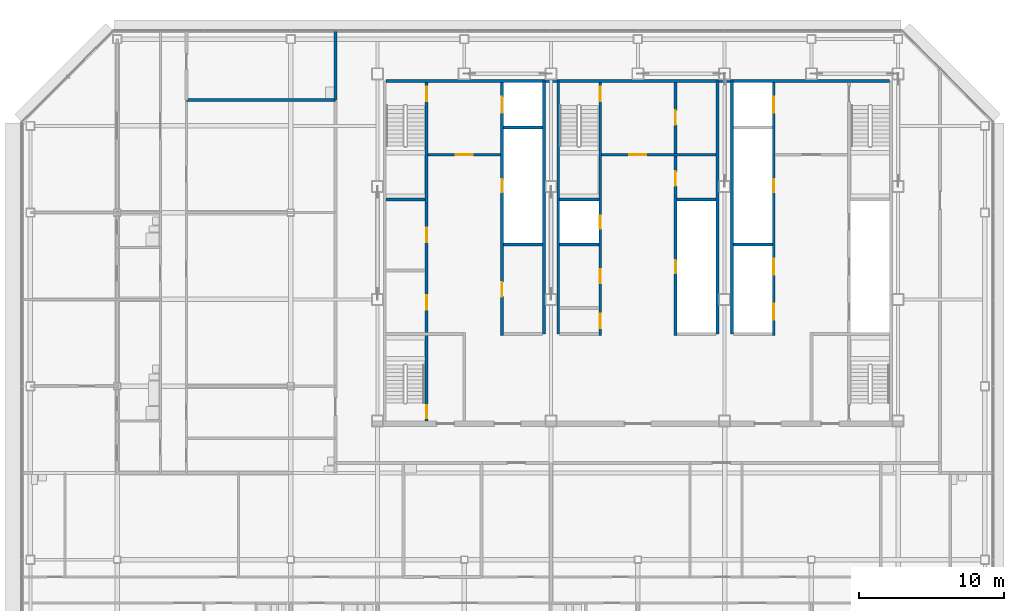
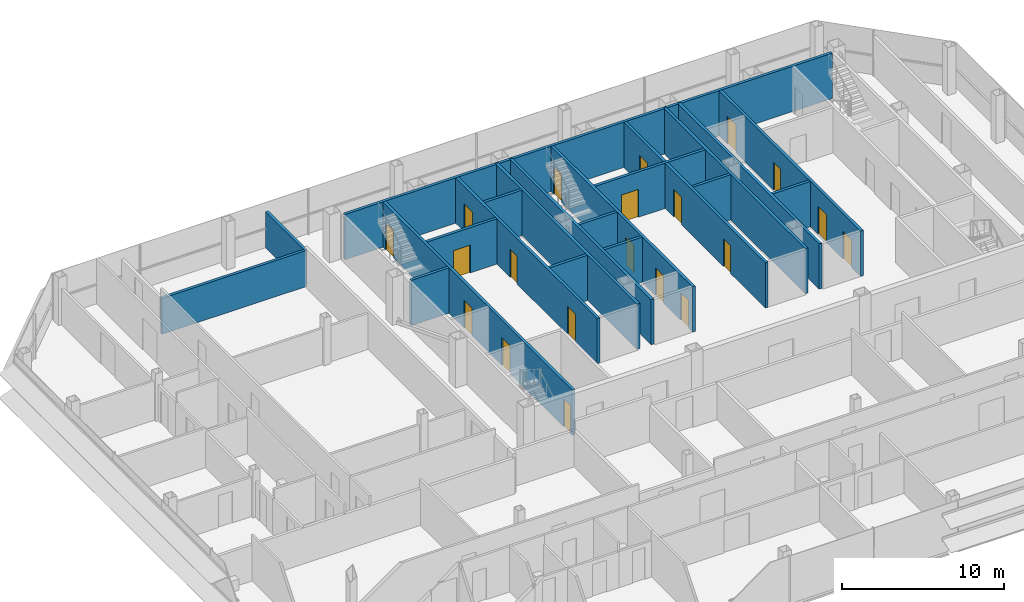
# One storey, part 23 of 27: 21 walls, 20 doors, 20 openings.
"""IFC4 building model written with IfcOpenShell, lengths in metres."""

from ifc_helpers import new_model, si_unit, direction, frame, frame_2d, origin, place, context, subcontext, project, spatial, rectangle, extrude, material, layer, layer_set, type_object, element, fill, save


model = new_model("IFC4")

# Units and contexts
model_context = context("Model", 3, precision=1e-05, world=origin(), true_north=direction((0.0, 1.0)))
body_context = subcontext(model_context, "Body", "Model", "MODEL_VIEW")
ifc_project = project(units=[si_unit("LENGTHUNIT", "METRE"), si_unit("AREAUNIT", "SQUARE_METRE"), si_unit("VOLUMEUNIT", "CUBIC_METRE"), si_unit("PLANEANGLEUNIT", "RADIAN"), si_unit("MASSUNIT", "GRAM", prefix="KILO")], contexts=[model_context])

# Site, building, storey
site_placement = place(None, origin())
site = spatial("IfcSite", under=ifc_project, at=site_placement, CompositionType="ELEMENT")
building_placement = place(site_placement, origin())
building = spatial("IfcBuilding", under=site, at=building_placement, Name="Sorahane Residences", CompositionType="ELEMENT")
storey_placement = place(building_placement, frame((0.0, 0.0, 294.39990234375)))
storey = spatial("IfcBuildingStorey", under=building, at=storey_placement, Name="L69", CompositionType="ELEMENT", Elevation=294.39990234375)

# Walls
ifc_material_1 = material(Name="Concrete C30", Category="concrete")
ifc_layer_1 = layer(ifc_material_1, 0.199951171875)
ifc_layer_set_1 = layer_set([ifc_layer_1], Name="Core face wall 200 EI 180")
wall_type_1 = type_object("IfcWallType", Name="Core face wall 200 EI 180", PredefinedType="SOLIDWALL", material=ifc_layer_set_1)
wall_1_placement = place(storey_placement, frame((6.60009765625, 45.10009765625, 0.0), z_axis=(0.0, 0.0, 1.0), x_axis=(1.0, 0.0, 0.0)))
element("IfcWall", 1, at=wall_1_placement, inside=storey, type_object=wall_type_1, Name="L69 core face wall", PredefinedType="SOLIDWALL", context=body_context, shape_type="SweptSolid", body=[
    extrude(rectangle(XDim=34.7998046875, YDim=0.199951171875, at=frame_2d((17.39990234375, 0.0))), origin(), (0.0, 0.0, 1.0), 3.420166015625),
])
for number, where, z_axis, x_axis, name in (
    (2, (17.5, 27.60009765625, 0.0), (0.0, 0.0, 1.0), (0.0, 1.0, 0.0), "L69 core face wall"),
    (3, (18.5, 27.60009765625, 0.0), (0.0, 0.0, 1.0), (0.0, 1.0, 0.0), "L69 core face wall"),
    (4, (29.5, 27.60009765625, 0.0), (0.0, 0.0, 1.0), (0.0, 1.0, 0.0), "L69 core face wall"),
    (5, (30.5, 27.60009765625, 0.0), (0.0, 0.0, 1.0), (0.0, 1.0, 0.0), "L69 core face wall"),
):
    element("IfcWall", number, at=place(storey_placement, frame(where, z_axis=z_axis, x_axis=x_axis)), inside=storey, type_object=wall_type_1, Name=name, PredefinedType="SOLIDWALL", context=body_context, shape_type="SweptSolid", body=[
        extrude(rectangle(XDim=17.5, YDim=0.199951171875, at=frame_2d((8.75, 0.0))), origin(), (0.0, 0.0, 1.0), 3.420166015625),
    ])

# Wall, opening, door
ifc_material_2 = material(Name="Concrete C30", Category="concrete")
ifc_layer_2 = layer(ifc_material_2, 0.199951171875)
ifc_layer_set_2 = layer_set([ifc_layer_2], Name="Front room wall 200 EI 120")
wall_type_2 = type_object("IfcWallType", Name="Front room wall 200 EI 120", PredefinedType="PARTITIONING", material=ifc_layer_set_2)
wall_2_placement = place(storey_placement, frame((21.5, 40.0, 0.0), z_axis=(0.0, 0.0, 1.0), x_axis=(1.0, 0.0, 0.0)))
wall_2 = element("IfcWall", 6, at=wall_2_placement, inside=storey, type_object=wall_type_2, Name="L69 front room wall", PredefinedType="PARTITIONING", context=body_context, shape_type="SweptSolid", body=[
    extrude(rectangle(XDim=7.89990234375, YDim=0.199951171875, at=frame_2d((3.949951171875, 0.0))), origin(), (0.0, 0.0, 1.0), 3.420166015625),
])
opening_1_placement = place(wall_2_placement, frame((1.89990234375, 0.0, 0.0)))
opening_1 = element("IfcOpeningElement", 7, at=opening_1_placement, cuts=wall_2, Name="Opening L69-C07", PredefinedType="OPENING", context=body_context, shape_type="SweptSolid", body=[
    extrude(rectangle(XDim=1.199951171875, YDim=2.10009765625, at=frame_2d((0.60009765625, 1.050048828125))), frame((0.0, 0.10986328125, 0.0), z_axis=(0.0, -1.0, 0.0), x_axis=(1.0, 0.0, 0.0)), (0.0, 0.0, 1.0), 0.219970703125),
])
ifc_material_3 = material(Name="Steel", Category="steel")
door_type_1 = type_object("IfcDoorType", Name="Front room door 1200x2100 FD120", OperationType="NOTDEFINED", PredefinedType="DOOR", material=ifc_material_3)
door_1_placement = place(opening_1_placement, frame((1.199951171875, 0.0, 0.0), z_axis=(0.0, 0.0, 1.0), x_axis=(-1.0, 0.0, 0.0)))
door_1 = element("IfcDoor", 8, at=door_1_placement, inside=storey, type_object=door_type_1, Name="Front room door Stair S3 vestibule L69", OperationType="DOUBLE_DOOR_SINGLE_SWING", OverallHeight=2.10009765625, OverallWidth=1.199951171875, PredefinedType="DOOR", context=body_context, shape_type="SweptSolid", body=[
    extrude(rectangle(XDim=1.199951171875, YDim=2.10009765625, at=frame_2d((0.60009765625, 1.050048828125))), frame((0.0, 0.02490234375, 0.0), z_axis=(0.0, -1.0, 0.0), x_axis=(1.0, 0.0, 0.0)), (0.0, 0.0, 1.0), 0.050048828125),
])
fill(opening_1, door_1)

wall_3_placement = place(storey_placement, frame((9.5, 40.0, 0.0), z_axis=(0.0, 0.0, 1.0), x_axis=(1.0, 0.0, 0.0)))
wall_3 = element("IfcWall", 9, at=wall_3_placement, inside=storey, type_object=wall_type_2, Name="L69 front room wall", PredefinedType="PARTITIONING", context=body_context, shape_type="SweptSolid", body=[
    extrude(rectangle(XDim=5.0, YDim=0.199951171875, at=frame_2d((2.5, 0.0))), origin(), (0.0, 0.0, 1.0), 3.420166015625),
])
opening_2_placement = place(wall_3_placement, frame((1.89990234375, 0.0, 0.0)))
opening_2 = element("IfcOpeningElement", 10, at=opening_2_placement, cuts=wall_3, Name="Opening L69-C06", PredefinedType="OPENING", context=body_context, shape_type="SweptSolid", body=[
    extrude(rectangle(XDim=1.199951171875, YDim=2.10009765625, at=frame_2d((0.60009765625, 1.050048828125))), frame((0.0, 0.10986328125, 0.0), z_axis=(0.0, -1.0, 0.0), x_axis=(1.0, 0.0, 0.0)), (0.0, 0.0, 1.0), 0.219970703125),
])
door_2_placement = place(opening_2_placement, frame((1.199951171875, 0.0, 0.0), z_axis=(0.0, 0.0, 1.0), x_axis=(-1.0, 0.0, 0.0)))
door_2 = element("IfcDoor", 11, at=door_2_placement, inside=storey, type_object=door_type_1, Name="Front room door Firefighting lobby FF1 front room L69", OperationType="DOUBLE_DOOR_SINGLE_SWING", OverallHeight=2.10009765625, OverallWidth=1.199951171875, PredefinedType="DOOR", context=body_context, shape_type="SweptSolid", body=[
    extrude(rectangle(XDim=1.199951171875, YDim=2.10009765625, at=frame_2d((0.60009765625, 1.050048828125))), frame((0.0, 0.02490234375, 0.0), z_axis=(0.0, -1.0, 0.0), x_axis=(1.0, 0.0, 0.0)), (0.0, 0.0, 1.0), 0.050048828125),
])
fill(opening_2, door_2)

# Walls
ifc_material_4 = material(Name="Concrete blockwork C20 wall", Category="masonry")
ifc_layer_3 = layer(ifc_material_4, 0.199951171875)
ifc_layer_set_3 = layer_set([ifc_layer_3], Name="Kitchen wall 200 EI 180")
wall_type_3 = type_object("IfcWallType", Name="Kitchen wall 200 EI 180", PredefinedType="SOLIDWALL", material=ifc_layer_set_3)
wall_4_placement = place(storey_placement, frame((3.10009765625, 43.800048828125, 0.0), z_axis=(0.0, 0.0, 1.0), x_axis=(0.0, 1.0, 0.0)))
element("IfcWall", 12, at=wall_4_placement, inside=storey, type_object=wall_type_3, Name="L69 kitchen wall", PredefinedType="SOLIDWALL", context=body_context, shape_type="SweptSolid", body=[
    extrude(rectangle(XDim=4.800048828125, YDim=0.199951171875, at=frame_2d((2.39990234375, 0.0))), origin(), (0.0, 0.0, 1.0), 2.72021484375),
])
wall_5_placement = place(storey_placement, frame((-7.199951171875, 43.800048828125, 0.0), z_axis=(0.0, 0.0, 1.0), x_axis=(1.0, 0.0, 0.0)))
element("IfcWall", 13, at=wall_5_placement, inside=storey, type_object=wall_type_3, Name="L69 kitchen wall", PredefinedType="SOLIDWALL", context=body_context, shape_type="SweptSolid", body=[
    extrude(rectangle(XDim=10.300048828125, YDim=0.199951171875, at=frame_2d((5.14990234375, 0.0))), origin(), (0.0, 0.0, 1.0), 2.72021484375),
])

# Wall, openings, doors
ifc_material_5 = material(Name="Concrete C30", Category="concrete")
ifc_layer_4 = layer(ifc_material_5, 0.199951171875)
ifc_layer_set_4 = layer_set([ifc_layer_4], Name="Lift shaft wall 200 EI 120")
wall_type_4 = type_object("IfcWallType", Name="Lift shaft wall 200 EI 120", PredefinedType="SOLIDWALL", material=ifc_layer_set_4)
wall_6_placement = place(storey_placement, frame((14.60009765625, 27.5, 0.0), z_axis=(0.0, 0.0, 1.0), x_axis=(0.0, 1.0, 0.0)))
wall_6 = element("IfcWall", 14, at=wall_6_placement, inside=storey, type_object=wall_type_4, Name="L69 lift shaft wall", PredefinedType="SOLIDWALL", context=body_context, shape_type="SweptSolid", body=[
    extrude(rectangle(XDim=17.5, YDim=0.199951171875, at=frame_2d((8.75, 0.0))), origin(), (0.0, 0.0, 1.0), 3.420166015625),
])
opening_3_placement = place(wall_6_placement, frame((15.39990234375, 0.0, 0.0)))
opening_3 = element("IfcOpeningElement", 15, at=opening_3_placement, cuts=wall_6, Name="Opening L69-C15", PredefinedType="OPENING", context=body_context, shape_type="SweptSolid", body=[
    extrude(rectangle(XDim=1.10009765625, YDim=2.10009765625, at=frame_2d((0.550048828125, 1.050048828125))), frame((0.0, 0.10986328125, 0.0), z_axis=(0.0, -1.0, 0.0), x_axis=(1.0, 0.0, 0.0)), (0.0, 0.0, 1.0), 0.219970703125),
])
opening_4_placement = place(wall_6_placement, frame((2.699951171875, 0.0, 0.0)))
opening_4 = element("IfcOpeningElement", 16, at=opening_4_placement, cuts=wall_6, Name="Opening L69-C18", PredefinedType="OPENING", context=body_context, shape_type="SweptSolid", body=[
    extrude(rectangle(XDim=1.0, YDim=2.10009765625, at=frame_2d((0.5, 1.050048828125))), frame((0.0, 0.10986328125, 0.0), z_axis=(0.0, -1.0, 0.0), x_axis=(1.0, 0.0, 0.0)), (0.0, 0.0, 1.0), 0.219970703125),
])
opening_5_placement = place(wall_6_placement, frame((9.89990234375, 0.0, 0.0)))
opening_5 = element("IfcOpeningElement", 17, at=opening_5_placement, cuts=wall_6, Name="Opening L69-C26", PredefinedType="OPENING", context=body_context, shape_type="SweptSolid", body=[
    extrude(rectangle(XDim=0.89990234375, YDim=2.10009765625, at=frame_2d((0.449951171875, 1.050048828125))), frame((0.0, 0.10986328125, 0.0), z_axis=(0.0, -1.0, 0.0), x_axis=(1.0, 0.0, 0.0)), (0.0, 0.0, 1.0), 0.219970703125),
])
ifc_material_6 = material(Name="Aluminium and stainless steel", Category="steel")
door_type_2 = type_object("IfcDoorType", Name="Lift landing door 1100x2100 E 60", OperationType="NOTDEFINED", PredefinedType="DOOR", material=ifc_material_6)
door_3_placement = place(opening_3_placement, origin())
door_3 = element("IfcDoor", 18, at=door_3_placement, inside=storey, type_object=door_type_2, Name="Lift landing door FF1 L69", OperationType="DOUBLE_DOOR_SLIDING", OverallHeight=2.10009765625, OverallWidth=1.10009765625, PredefinedType="DOOR", context=body_context, shape_type="SweptSolid", body=[
    extrude(rectangle(XDim=1.10009765625, YDim=2.10009765625, at=frame_2d((0.550048828125, 1.050048828125))), frame((0.0, 0.02490234375, 0.0), z_axis=(0.0, -1.0, 0.0), x_axis=(1.0, 0.0, 0.0)), (0.0, 0.0, 1.0), 0.050048828125),
])
fill(opening_3, door_3)
ifc_material_7 = material(Name="Steel", Category="steel")
door_type_3 = type_object("IfcDoorType", Name="Riser door 900x2100 FD120", OperationType="NOTDEFINED", PredefinedType="DOOR", material=ifc_material_7)
door_4_placement = place(opening_5_placement, origin())
door_4 = element("IfcDoor", 19, at=door_4_placement, inside=storey, type_object=door_type_3, Name="Riser door R1 L69", OperationType="SINGLE_SWING_LEFT", OverallHeight=2.10009765625, OverallWidth=0.89990234375, PredefinedType="DOOR", context=body_context, shape_type="SweptSolid", body=[
    extrude(rectangle(XDim=0.89990234375, YDim=2.10009765625, at=frame_2d((0.449951171875, 1.050048828125))), frame((0.0, 0.02490234375, 0.0), z_axis=(0.0, -1.0, 0.0), x_axis=(1.0, 0.0, 0.0)), (0.0, 0.0, 1.0), 0.050048828125),
])
fill(opening_5, door_4)
ifc_material_8 = material(Name="Steel", Category="steel")
door_type_4 = type_object("IfcDoorType", Name="Service room door 1000x2100 FD60", OperationType="NOTDEFINED", PredefinedType="DOOR", material=ifc_material_8)
door_5_placement = place(opening_4_placement, frame((1.0, 0.0, 0.0), z_axis=(0.0, 0.0, 1.0), x_axis=(-1.0, 0.0, 0.0)))
door_5 = element("IfcDoor", 20, at=door_5_placement, inside=storey, type_object=door_type_4, Name="Service room door Reading room L69", OperationType="SINGLE_SWING_RIGHT", OverallHeight=2.10009765625, OverallWidth=1.0, PredefinedType="DOOR", context=body_context, shape_type="SweptSolid", body=[
    extrude(rectangle(XDim=1.0, YDim=2.10009765625, at=frame_2d((0.5, 1.050048828125))), frame((0.0, 0.02490234375, 0.0), z_axis=(0.0, -1.0, 0.0), x_axis=(1.0, 0.0, 0.0)), (0.0, 0.0, 1.0), 0.050048828125),
])
fill(opening_4, door_5)

wall_7_placement = place(storey_placement, frame((33.39990234375, 27.5, 0.0), z_axis=(0.0, 0.0, 1.0), x_axis=(0.0, 1.0, 0.0)))
wall_7 = element("IfcWall", 21, at=wall_7_placement, inside=storey, type_object=wall_type_4, Name="L69 lift shaft wall", PredefinedType="SOLIDWALL", context=body_context, shape_type="SweptSolid", body=[
    extrude(rectangle(XDim=17.5, YDim=0.199951171875, at=frame_2d((8.75, 0.0))), origin(), (0.0, 0.0, 1.0), 3.420166015625),
])
opening_6_placement = place(wall_7_placement, frame((1.10009765625, 0.0, 0.0)))
opening_6 = element("IfcOpeningElement", 22, at=opening_6_placement, cuts=wall_7, Name="Opening L69-C12", PredefinedType="OPENING", context=body_context, shape_type="SweptSolid", body=[
    extrude(rectangle(XDim=1.10009765625, YDim=2.10009765625, at=frame_2d((0.550048828125, 1.050048828125))), frame((0.0, 0.10986328125, 0.0), z_axis=(0.0, -1.0, 0.0), x_axis=(1.0, 0.0, 0.0)), (0.0, 0.0, 1.0), 0.219970703125),
])
opening_7_placement = place(wall_7_placement, frame((4.199951171875, 0.0, 0.0)))
opening_7 = element("IfcOpeningElement", 23, at=opening_7_placement, cuts=wall_7, Name="Opening L69-C13", PredefinedType="OPENING", context=body_context, shape_type="SweptSolid", body=[
    extrude(rectangle(XDim=1.10009765625, YDim=2.10009765625, at=frame_2d((0.550048828125, 1.050048828125))), frame((0.0, 0.10986328125, 0.0), z_axis=(0.0, -1.0, 0.0), x_axis=(1.0, 0.0, 0.0)), (0.0, 0.0, 1.0), 0.219970703125),
])
opening_8_placement = place(wall_7_placement, frame((15.39990234375, 0.0, 0.0)))
opening_8 = element("IfcOpeningElement", 24, at=opening_8_placement, cuts=wall_7, Name="Opening L69-C14", PredefinedType="OPENING", context=body_context, shape_type="SweptSolid", body=[
    extrude(rectangle(XDim=1.10009765625, YDim=2.10009765625, at=frame_2d((0.550048828125, 1.050048828125))), frame((0.0, 0.10986328125, 0.0), z_axis=(0.0, -1.0, 0.0), x_axis=(1.0, 0.0, 0.0)), (0.0, 0.0, 1.0), 0.219970703125),
])
opening_9_placement = place(wall_7_placement, frame((9.89990234375, 0.0, 0.0)))
opening_9 = element("IfcOpeningElement", 25, at=opening_9_placement, cuts=wall_7, Name="Opening L69-C27", PredefinedType="OPENING", context=body_context, shape_type="SweptSolid", body=[
    extrude(rectangle(XDim=0.89990234375, YDim=2.10009765625, at=frame_2d((0.449951171875, 1.050048828125))), frame((0.0, 0.10986328125, 0.0), z_axis=(0.0, -1.0, 0.0), x_axis=(1.0, 0.0, 0.0)), (0.0, 0.0, 1.0), 0.219970703125),
])
door_6_placement = place(opening_6_placement, origin())
door_6 = element("IfcDoor", 26, at=door_6_placement, inside=storey, type_object=door_type_2, Name="Lift landing door HR4 L69", OperationType="DOUBLE_DOOR_SLIDING", OverallHeight=2.10009765625, OverallWidth=1.10009765625, PredefinedType="DOOR", context=body_context, shape_type="SweptSolid", body=[
    extrude(rectangle(XDim=1.10009765625, YDim=2.10009765625, at=frame_2d((0.550048828125, 1.050048828125))), frame((0.0, 0.02490234375, 0.0), z_axis=(0.0, -1.0, 0.0), x_axis=(1.0, 0.0, 0.0)), (0.0, 0.0, 1.0), 0.050048828125),
])
fill(opening_6, door_6)
door_7_placement = place(opening_7_placement, origin())
door_7 = element("IfcDoor", 27, at=door_7_placement, inside=storey, type_object=door_type_2, Name="Lift landing door HR5 L69", OperationType="DOUBLE_DOOR_SLIDING", OverallHeight=2.10009765625, OverallWidth=1.10009765625, PredefinedType="DOOR", context=body_context, shape_type="SweptSolid", body=[
    extrude(rectangle(XDim=1.10009765625, YDim=2.10009765625, at=frame_2d((0.550048828125, 1.050048828125))), frame((0.0, 0.02490234375, 0.0), z_axis=(0.0, -1.0, 0.0), x_axis=(1.0, 0.0, 0.0)), (0.0, 0.0, 1.0), 0.050048828125),
])
fill(opening_7, door_7)
door_8_placement = place(opening_8_placement, origin())
door_8 = element("IfcDoor", 28, at=door_8_placement, inside=storey, type_object=door_type_2, Name="Lift landing door FF2 L69", OperationType="DOUBLE_DOOR_SLIDING", OverallHeight=2.10009765625, OverallWidth=1.10009765625, PredefinedType="DOOR", context=body_context, shape_type="SweptSolid", body=[
    extrude(rectangle(XDim=1.10009765625, YDim=2.10009765625, at=frame_2d((0.550048828125, 1.050048828125))), frame((0.0, 0.02490234375, 0.0), z_axis=(0.0, -1.0, 0.0), x_axis=(1.0, 0.0, 0.0)), (0.0, 0.0, 1.0), 0.050048828125),
])
fill(opening_8, door_8)
door_9_placement = place(opening_9_placement, frame((0.89990234375, 0.0, 0.0), z_axis=(0.0, 0.0, 1.0), x_axis=(-1.0, 0.0, 0.0)))
door_9 = element("IfcDoor", 29, at=door_9_placement, inside=storey, type_object=door_type_3, Name="Riser door R2 L69", OperationType="SINGLE_SWING_LEFT", OverallHeight=2.10009765625, OverallWidth=0.89990234375, PredefinedType="DOOR", context=body_context, shape_type="SweptSolid", body=[
    extrude(rectangle(XDim=0.89990234375, YDim=2.10009765625, at=frame_2d((0.449951171875, 1.050048828125))), frame((0.0, 0.02490234375, 0.0), z_axis=(0.0, -1.0, 0.0), x_axis=(1.0, 0.0, 0.0)), (0.0, 0.0, 1.0), 0.050048828125),
])
fill(opening_9, door_9)

# Walls
for number, where, z_axis, x_axis, name in (
    (30, (30.60009765625, 33.800048828125, 0.0), (0.0, 0.0, 1.0), (1.0, 0.0, 0.0), "L69 lift shaft wall"),
    (31, (14.699951171875, 41.89990234375, 0.0), (0.0, 0.0, 1.0), (1.0, 0.0, 0.0), "L69 lift shaft wall"),
):
    element("IfcWall", number, at=place(storey_placement, frame(where, z_axis=z_axis, x_axis=x_axis)), inside=storey, type_object=wall_type_4, Name=name, PredefinedType="SOLIDWALL", context=body_context, shape_type="SweptSolid", body=[
        extrude(rectangle(XDim=2.699951171875, YDim=0.199951171875, at=frame_2d((1.35009765625, 0.0))), origin(), (0.0, 0.0, 1.0), 3.420166015625),
    ])

# Wall, openings, doors
ifc_material_9 = material(Name="Concrete C30", Category="concrete")
ifc_layer_5 = layer(ifc_material_9, 0.199951171875)
ifc_layer_set_5 = layer_set([ifc_layer_5], Name="Riser shaft wall 200 EI 120")
wall_type_5 = type_object("IfcWallType", Name="Riser shaft wall 200 EI 120", PredefinedType="SOLIDWALL", material=ifc_layer_set_5)
wall_8_placement = place(storey_placement, frame((26.60009765625, 27.5, 0.0), z_axis=(0.0, 0.0, 1.0), x_axis=(0.0, 1.0, 0.0)))
wall_8 = element("IfcWall", 32, at=wall_8_placement, inside=storey, type_object=wall_type_5, Name="L69 riser wall", PredefinedType="SOLIDWALL", context=body_context, shape_type="SweptSolid", body=[
    extrude(rectangle(XDim=17.5, YDim=0.199951171875, at=frame_2d((8.75, 0.0))), origin(), (0.0, 0.0, 1.0), 3.420166015625),
])
opening_10_placement = place(wall_8_placement, frame((4.300048828125, 0.0, 0.0)))
opening_10 = element("IfcOpeningElement", 33, at=opening_10_placement, cuts=wall_8, Name="Opening L69-C29", PredefinedType="OPENING", context=body_context, shape_type="SweptSolid", body=[
    extrude(rectangle(XDim=0.89990234375, YDim=2.10009765625, at=frame_2d((0.449951171875, 1.050048828125))), frame((0.0, 0.10986328125, 0.0), z_axis=(0.0, -1.0, 0.0), x_axis=(1.0, 0.0, 0.0)), (0.0, 0.0, 1.0), 0.219970703125),
])
opening_11_placement = place(wall_8_placement, frame((10.35009765625, 0.0, 0.0)))
opening_11 = element("IfcOpeningElement", 34, at=opening_11_placement, cuts=wall_8, Name="Opening L69-C30", PredefinedType="OPENING", context=body_context, shape_type="SweptSolid", body=[
    extrude(rectangle(XDim=1.0, YDim=2.10009765625, at=frame_2d((0.5, 1.050048828125))), frame((0.0, 0.10986328125, 0.0), z_axis=(0.0, -1.0, 0.0), x_axis=(1.0, 0.0, 0.0)), (0.0, 0.0, 1.0), 0.219970703125),
])
opening_12_placement = place(wall_8_placement, frame((14.574951171875, 0.0, 0.0)))
opening_12 = element("IfcOpeningElement", 35, at=opening_12_placement, cuts=wall_8, Name="Opening L69-C31", PredefinedType="OPENING", context=body_context, shape_type="SweptSolid", body=[
    extrude(rectangle(XDim=1.0, YDim=2.10009765625, at=frame_2d((0.5, 1.050048828125))), frame((0.0, 0.10986328125, 0.0), z_axis=(0.0, -1.0, 0.0), x_axis=(1.0, 0.0, 0.0)), (0.0, 0.0, 1.0), 0.219970703125),
])
door_10_placement = place(opening_10_placement, origin())
door_10 = element("IfcDoor", 36, at=door_10_placement, inside=storey, type_object=door_type_3, Name="Riser door R4 L69", OperationType="SINGLE_SWING_LEFT", OverallHeight=2.10009765625, OverallWidth=0.89990234375, PredefinedType="DOOR", context=body_context, shape_type="SweptSolid", body=[
    extrude(rectangle(XDim=0.89990234375, YDim=2.10009765625, at=frame_2d((0.449951171875, 1.050048828125))), frame((0.0, 0.02490234375, 0.0), z_axis=(0.0, -1.0, 0.0), x_axis=(1.0, 0.0, 0.0)), (0.0, 0.0, 1.0), 0.050048828125),
])
fill(opening_10, door_10)
door_11_placement = place(opening_11_placement, frame((1.0, 0.0, 0.0), z_axis=(0.0, 0.0, 1.0), x_axis=(-1.0, 0.0, 0.0)))
door_11 = element("IfcDoor", 37, at=door_11_placement, inside=storey, type_object=door_type_4, Name="Service room door Linen room L69", OperationType="SINGLE_SWING_LEFT", OverallHeight=2.10009765625, OverallWidth=1.0, PredefinedType="DOOR", context=body_context, shape_type="SweptSolid", body=[
    extrude(rectangle(XDim=1.0, YDim=2.10009765625, at=frame_2d((0.5, 1.050048828125))), frame((0.0, 0.02490234375, 0.0), z_axis=(0.0, -1.0, 0.0), x_axis=(1.0, 0.0, 0.0)), (0.0, 0.0, 1.0), 0.050048828125),
])
fill(opening_11, door_11)
door_12_placement = place(opening_12_placement, frame((1.0, 0.0, 0.0), z_axis=(0.0, 0.0, 1.0), x_axis=(-1.0, 0.0, 0.0)))
door_12 = element("IfcDoor", 38, at=door_12_placement, inside=storey, type_object=door_type_4, Name="Service room door Cleaners' store L69", OperationType="SINGLE_SWING_LEFT", OverallHeight=2.10009765625, OverallWidth=1.0, PredefinedType="DOOR", context=body_context, shape_type="SweptSolid", body=[
    extrude(rectangle(XDim=1.0, YDim=2.10009765625, at=frame_2d((0.5, 1.050048828125))), frame((0.0, 0.02490234375, 0.0), z_axis=(0.0, -1.0, 0.0), x_axis=(1.0, 0.0, 0.0)), (0.0, 0.0, 1.0), 0.050048828125),
])
fill(opening_12, door_12)

# Walls
for number, where, z_axis, x_axis, name in (
    (39, (14.699951171875, 33.800048828125, 0.0), (0.0, 0.0, 1.0), (1.0, 0.0, 0.0), "L69 riser wall"),
    (40, (18.60009765625, 33.800048828125, 0.0), (0.0, 0.0, 1.0), (1.0, 0.0, 0.0), "L69 riser wall"),
    (41, (26.699951171875, 36.89990234375, 0.0), (0.0, 0.0, 1.0), (1.0, 0.0, 0.0), "L69 riser wall"),
):
    element("IfcWall", number, at=place(storey_placement, frame(where, z_axis=z_axis, x_axis=x_axis)), inside=storey, type_object=wall_type_5, Name=name, PredefinedType="SOLIDWALL", context=body_context, shape_type="SweptSolid", body=[
        extrude(rectangle(XDim=2.699951171875, YDim=0.199951171875, at=frame_2d((1.35009765625, 0.0))), origin(), (0.0, 0.0, 1.0), 3.420166015625),
    ])

# Wall, openings, doors
ifc_material_10 = material(Name="Concrete C30", Category="concrete")
ifc_layer_6 = layer(ifc_material_10, 0.199951171875)
ifc_layer_set_6 = layer_set([ifc_layer_6], Name="Stair enclosure wall 200 EI 120")
wall_type_6 = type_object("IfcWallType", Name="Stair enclosure wall 200 EI 120", PredefinedType="SOLIDWALL", material=ifc_layer_set_6)
wall_9_placement = place(storey_placement, frame((21.39990234375, 27.5, 0.0), z_axis=(0.0, 0.0, 1.0), x_axis=(0.0, 1.0, 0.0)))
wall_9 = element("IfcWall", 42, at=wall_9_placement, inside=storey, type_object=wall_type_6, Name="L69 stair enclosure wall", PredefinedType="SOLIDWALL", context=body_context, shape_type="SweptSolid", body=[
    extrude(rectangle(XDim=17.5, YDim=0.199951171875, at=frame_2d((8.75, 0.0))), origin(), (0.0, 0.0, 1.0), 3.420166015625),
])
opening_13_placement = place(wall_9_placement, frame((0.5, 0.0, 0.0)))
opening_13 = element("IfcOpeningElement", 43, at=opening_13_placement, cuts=wall_9, Name="Opening L69-C16", PredefinedType="OPENING", context=body_context, shape_type="SweptSolid", body=[
    extrude(rectangle(XDim=1.0, YDim=2.10009765625, at=frame_2d((0.5, 1.050048828125))), frame((0.0, 0.10986328125, 0.0), z_axis=(0.0, -1.0, 0.0), x_axis=(1.0, 0.0, 0.0)), (0.0, 0.0, 1.0), 0.219970703125),
])
opening_14_placement = place(wall_9_placement, frame((3.60009765625, 0.0, 0.0)))
opening_14 = element("IfcOpeningElement", 44, at=opening_14_placement, cuts=wall_9, Name="Opening L69-C17", PredefinedType="OPENING", context=body_context, shape_type="SweptSolid", body=[
    extrude(rectangle(XDim=1.0, YDim=2.10009765625, at=frame_2d((0.5, 1.050048828125))), frame((0.0, 0.10986328125, 0.0), z_axis=(0.0, -1.0, 0.0), x_axis=(1.0, 0.0, 0.0)), (0.0, 0.0, 1.0), 0.219970703125),
])
opening_15_placement = place(wall_9_placement, frame((16.199951171875, 0.0, 0.0)))
opening_15 = element("IfcOpeningElement", 45, at=opening_15_placement, cuts=wall_9, Name="Opening L69-C23", PredefinedType="OPENING", context=body_context, shape_type="SweptSolid", body=[
    extrude(rectangle(XDim=1.0, YDim=2.10009765625, at=frame_2d((0.5, 1.050048828125))), frame((0.0, 0.10986328125, 0.0), z_axis=(0.0, -1.0, 0.0), x_axis=(1.0, 0.0, 0.0)), (0.0, 0.0, 1.0), 0.219970703125),
])
opening_16_placement = place(wall_9_placement, frame((7.39990234375, 0.0, 0.0)))
opening_16 = element("IfcOpeningElement", 46, at=opening_16_placement, cuts=wall_9, Name="Opening L69-C28", PredefinedType="OPENING", context=body_context, shape_type="SweptSolid", body=[
    extrude(rectangle(XDim=0.89990234375, YDim=2.10009765625, at=frame_2d((0.449951171875, 1.050048828125))), frame((0.0, 0.10986328125, 0.0), z_axis=(0.0, -1.0, 0.0), x_axis=(1.0, 0.0, 0.0)), (0.0, 0.0, 1.0), 0.219970703125),
])
door_13_placement = place(opening_16_placement, frame((0.89990234375, 0.0, 0.0), z_axis=(0.0, 0.0, 1.0), x_axis=(-1.0, 0.0, 0.0)))
door_13 = element("IfcDoor", 47, at=door_13_placement, inside=storey, type_object=door_type_3, Name="Riser door R3 L69", OperationType="SINGLE_SWING_LEFT", OverallHeight=2.10009765625, OverallWidth=0.89990234375, PredefinedType="DOOR", context=body_context, shape_type="SweptSolid", body=[
    extrude(rectangle(XDim=0.89990234375, YDim=2.10009765625, at=frame_2d((0.449951171875, 1.050048828125))), frame((0.0, 0.02490234375, 0.0), z_axis=(0.0, -1.0, 0.0), x_axis=(1.0, 0.0, 0.0)), (0.0, 0.0, 1.0), 0.050048828125),
])
fill(opening_16, door_13)
door_14_placement = place(opening_13_placement, origin())
door_14 = element("IfcDoor", 48, at=door_14_placement, inside=storey, type_object=door_type_4, Name="Service room door Tea store L69", OperationType="SINGLE_SWING_RIGHT", OverallHeight=2.10009765625, OverallWidth=1.0, PredefinedType="DOOR", context=body_context, shape_type="SweptSolid", body=[
    extrude(rectangle(XDim=1.0, YDim=2.10009765625, at=frame_2d((0.5, 1.050048828125))), frame((0.0, 0.02490234375, 0.0), z_axis=(0.0, -1.0, 0.0), x_axis=(1.0, 0.0, 0.0)), (0.0, 0.0, 1.0), 0.050048828125),
])
fill(opening_13, door_14)
door_15_placement = place(opening_14_placement, origin())
door_15 = element("IfcDoor", 49, at=door_15_placement, inside=storey, type_object=door_type_4, Name="Service room door Study L69", OperationType="SINGLE_SWING_LEFT", OverallHeight=2.10009765625, OverallWidth=1.0, PredefinedType="DOOR", context=body_context, shape_type="SweptSolid", body=[
    extrude(rectangle(XDim=1.0, YDim=2.10009765625, at=frame_2d((0.5, 1.050048828125))), frame((0.0, 0.02490234375, 0.0), z_axis=(0.0, -1.0, 0.0), x_axis=(1.0, 0.0, 0.0)), (0.0, 0.0, 1.0), 0.050048828125),
])
fill(opening_14, door_15)
ifc_material_11 = material(Name="Steel", Category="steel")
door_type_5 = type_object("IfcDoorType", Name="Stair door 1000x2100 FD120", OperationType="NOTDEFINED", PredefinedType="DOOR", material=ifc_material_11)
door_16_placement = place(opening_15_placement, origin())
door_16 = element("IfcDoor", 50, at=door_16_placement, inside=storey, type_object=door_type_5, Name="Stair door S3 L69", OperationType="SINGLE_SWING_LEFT", OverallHeight=2.10009765625, OverallWidth=1.0, PredefinedType="DOOR", context=body_context, shape_type="SweptSolid", body=[
    extrude(rectangle(XDim=1.0, YDim=2.10009765625, at=frame_2d((0.5, 1.050048828125))), frame((0.0, 0.02490234375, 0.0), z_axis=(0.0, -1.0, 0.0), x_axis=(1.0, 0.0, 0.0)), (0.0, 0.0, 1.0), 0.050048828125),
])
fill(opening_15, door_16)

wall_10_placement = place(storey_placement, frame((9.39990234375, 21.60009765625, 0.0), z_axis=(0.0, 0.0, 1.0), x_axis=(0.0, 1.0, 0.0)))
wall_10 = element("IfcWall", 51, at=wall_10_placement, inside=storey, type_object=wall_type_6, Name="L69 stair enclosure wall", PredefinedType="SOLIDWALL", context=body_context, shape_type="SweptSolid", body=[
    extrude(rectangle(XDim=23.39990234375, YDim=0.199951171875, at=frame_2d((11.699951171875, 0.0))), origin(), (0.0, 0.0, 1.0), 3.420166015625),
])
opening_17_placement = place(wall_10_placement, frame((7.699951171875, 0.0, 0.0)))
opening_17 = element("IfcOpeningElement", 52, at=opening_17_placement, cuts=wall_10, Name="Opening L69-C19", PredefinedType="OPENING", context=body_context, shape_type="SweptSolid", body=[
    extrude(rectangle(XDim=1.0, YDim=2.10009765625, at=frame_2d((0.5, 1.050048828125))), frame((0.0, 0.10986328125, 0.0), z_axis=(0.0, -1.0, 0.0), x_axis=(1.0, 0.0, 0.0)), (0.0, 0.0, 1.0), 0.219970703125),
])
opening_18_placement = place(wall_10_placement, frame((12.35009765625, 0.0, 0.0)))
opening_18 = element("IfcOpeningElement", 53, at=opening_18_placement, cuts=wall_10, Name="Opening L69-C20", PredefinedType="OPENING", context=body_context, shape_type="SweptSolid", body=[
    extrude(rectangle(XDim=1.0, YDim=2.10009765625, at=frame_2d((0.5, 1.050048828125))), frame((0.0, 0.10986328125, 0.0), z_axis=(0.0, -1.0, 0.0), x_axis=(1.0, 0.0, 0.0)), (0.0, 0.0, 1.0), 0.219970703125),
])
opening_19_placement = place(wall_10_placement, frame((22.10009765625, 0.0, 0.0)))
opening_19 = element("IfcOpeningElement", 54, at=opening_19_placement, cuts=wall_10, Name="Opening L69-C21", PredefinedType="OPENING", context=body_context, shape_type="SweptSolid", body=[
    extrude(rectangle(XDim=1.0, YDim=2.10009765625, at=frame_2d((0.5, 1.050048828125))), frame((0.0, 0.10986328125, 0.0), z_axis=(0.0, -1.0, 0.0), x_axis=(1.0, 0.0, 0.0)), (0.0, 0.0, 1.0), 0.219970703125),
])
opening_20_placement = place(wall_10_placement, frame((0.175048828125, 0.0, 0.0)))
opening_20 = element("IfcOpeningElement", 55, at=opening_20_placement, cuts=wall_10, Name="Opening L69-C24", PredefinedType="OPENING", context=body_context, shape_type="SweptSolid", body=[
    extrude(rectangle(XDim=0.89990234375, YDim=2.10009765625, at=frame_2d((0.449951171875, 1.050048828125))), frame((0.0, 0.10986328125, 0.0), z_axis=(0.0, -1.0, 0.0), x_axis=(1.0, 0.0, 0.0)), (0.0, 0.0, 1.0), 0.219970703125),
])
door_17_placement = place(opening_17_placement, origin())
door_17 = element("IfcDoor", 56, at=door_17_placement, inside=storey, type_object=door_type_4, Name="Service room door Study L69", OperationType="SINGLE_SWING_LEFT", OverallHeight=2.10009765625, OverallWidth=1.0, PredefinedType="DOOR", context=body_context, shape_type="SweptSolid", body=[
    extrude(rectangle(XDim=1.0, YDim=2.10009765625, at=frame_2d((0.5, 1.050048828125))), frame((0.0, 0.02490234375, 0.0), z_axis=(0.0, -1.0, 0.0), x_axis=(1.0, 0.0, 0.0)), (0.0, 0.0, 1.0), 0.050048828125),
])
fill(opening_17, door_17)
door_18_placement = place(opening_18_placement, origin())
door_18 = element("IfcDoor", 57, at=door_18_placement, inside=storey, type_object=door_type_4, Name="Service room door Library L69", OperationType="SINGLE_SWING_LEFT", OverallHeight=2.10009765625, OverallWidth=1.0, PredefinedType="DOOR", context=body_context, shape_type="SweptSolid", body=[
    extrude(rectangle(XDim=1.0, YDim=2.10009765625, at=frame_2d((0.5, 1.050048828125))), frame((0.0, 0.02490234375, 0.0), z_axis=(0.0, -1.0, 0.0), x_axis=(1.0, 0.0, 0.0)), (0.0, 0.0, 1.0), 0.050048828125),
])
fill(opening_18, door_18)
door_19_placement = place(opening_19_placement, origin())
door_19 = element("IfcDoor", 58, at=door_19_placement, inside=storey, type_object=door_type_5, Name="Stair door S1 L69", OperationType="SINGLE_SWING_LEFT", OverallHeight=2.10009765625, OverallWidth=1.0, PredefinedType="DOOR", context=body_context, shape_type="SweptSolid", body=[
    extrude(rectangle(XDim=1.0, YDim=2.10009765625, at=frame_2d((0.5, 1.050048828125))), frame((0.0, 0.02490234375, 0.0), z_axis=(0.0, -1.0, 0.0), x_axis=(1.0, 0.0, 0.0)), (0.0, 0.0, 1.0), 0.050048828125),
])
fill(opening_19, door_19)
ifc_material_12 = material(Name="Steel", Category="steel")
door_type_6 = type_object("IfcDoorType", Name="Stair door 900x2100 FD120", OperationType="NOTDEFINED", PredefinedType="DOOR", material=ifc_material_12)
door_20_placement = place(opening_20_placement, origin())
door_20 = element("IfcDoor", 59, at=door_20_placement, inside=storey, type_object=door_type_6, Name="Stair door S4 L69", OperationType="SINGLE_SWING_LEFT", OverallHeight=2.10009765625, OverallWidth=0.89990234375, PredefinedType="DOOR", context=body_context, shape_type="SweptSolid", body=[
    extrude(rectangle(XDim=0.89990234375, YDim=2.10009765625, at=frame_2d((0.449951171875, 1.050048828125))), frame((0.0, 0.02490234375, 0.0), z_axis=(0.0, -1.0, 0.0), x_axis=(1.0, 0.0, 0.0)), (0.0, 0.0, 1.0), 0.050048828125),
])
fill(opening_20, door_20)

# Walls
for number, where, z_axis, x_axis, name in (
    (60, (18.60009765625, 36.89990234375, 0.0), (0.0, 0.0, 1.0), (1.0, 0.0, 0.0), "L69 stair enclosure wall"),
    (61, (6.60009765625, 36.89990234375, 0.0), (0.0, 0.0, 1.0), (1.0, 0.0, 0.0), "L69 stair enclosure wall"),
):
    element("IfcWall", number, at=place(storey_placement, frame(where, z_axis=z_axis, x_axis=x_axis)), inside=storey, type_object=wall_type_6, Name=name, PredefinedType="SOLIDWALL", context=body_context, shape_type="SweptSolid", body=[
        extrude(rectangle(XDim=2.699951171875, YDim=0.199951171875, at=frame_2d((1.35009765625, 0.0))), origin(), (0.0, 0.0, 1.0), 3.420166015625),
    ])

save(model, "model.ifc")
